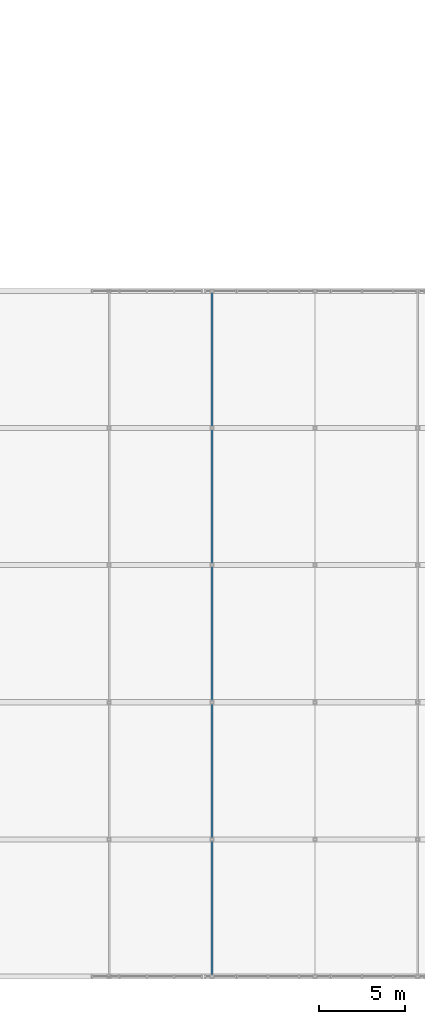
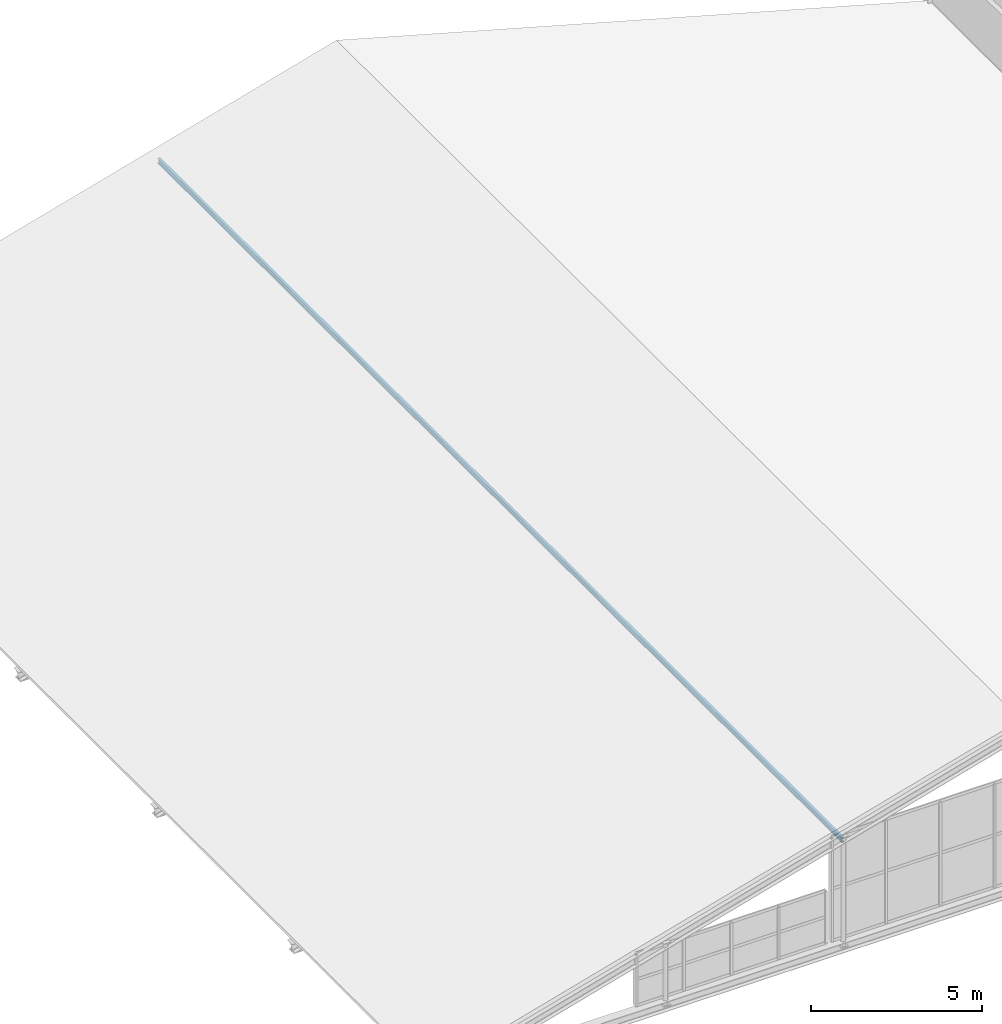
# One storey, part 17 of 49: 1 member.
"""IFC4 building model written with IfcOpenShell, lengths in metres."""

from ifc_helpers import new_model, si_unit, direction, frame, origin, origin_2d, place, context, subcontext, project, spatial, i_section, extrude, material, material_profile, profile_set, type_object, element, save


model = new_model("IFC4")

# Units and contexts
model_context = context("Model", 3, precision=1e-05, world=origin(), true_north=direction((0.0, 1.0)))
body_context = subcontext(model_context, "Body", "Model", "MODEL_VIEW")
ifc_project = project(units=[si_unit("LENGTHUNIT", "METRE"), si_unit("AREAUNIT", "SQUARE_METRE"), si_unit("VOLUMEUNIT", "CUBIC_METRE"), si_unit("PLANEANGLEUNIT", "RADIAN"), si_unit("MASSUNIT", "GRAM", prefix="KILO")], contexts=[model_context])

# Site, building, storey
site_placement = place(None, origin())
site = spatial("IfcSite", under=ifc_project, at=site_placement, CompositionType="ELEMENT")
building_placement = place(site_placement, origin())
building = spatial("IfcBuilding", under=site, at=building_placement, Name="Sundkrona Museum", CompositionType="ELEMENT")
storey_placement = place(building_placement, frame((0.0, 0.0, 26.0)))
storey = spatial("IfcBuildingStorey", under=building, at=storey_placement, Name="L05", CompositionType="ELEMENT", Elevation=26.0)

# Member
ifc_material = material(Name="Steel S355J2", Category="steel")
ifc_material_profile = material_profile(ifc_material, i_section(OverallWidth=0.091064453125, OverallDepth=0.179931640625, WebThickness=0.00537109375, FlangeThickness=0.008056640625, FilletRadius=0.009033203125, at=origin_2d()), Name="IPE 180")
ifc_profile_set = profile_set([ifc_material_profile], Name="Steel S355J2")
member_type = type_object("IfcMemberType", Name="PR-IPE180", PredefinedType="PURLIN", material=ifc_profile_set)
member_placement = place(storey_placement, frame((94.0, 0.0, 3.35595703125), z_axis=(0.0, 1.0, 0.0), x_axis=(-1.0, 0.0, 0.0)))
element("IfcMember", 1, at=member_placement, inside=storey, type_object=member_type, Name="STR-1 Atrium Roof Purlin X=94", PredefinedType="PURLIN", context=body_context, shape_type="SweptSolid", body=[
    extrude(i_section(OverallWidth=0.091064453125, OverallDepth=0.179931640625, WebThickness=0.00537109375, FlangeThickness=0.008056640625, FilletRadius=0.009033203125, at=origin_2d()), origin(), (0.0, 0.0, 1.0), 40.0),
])

save(model, "model.ifc")
